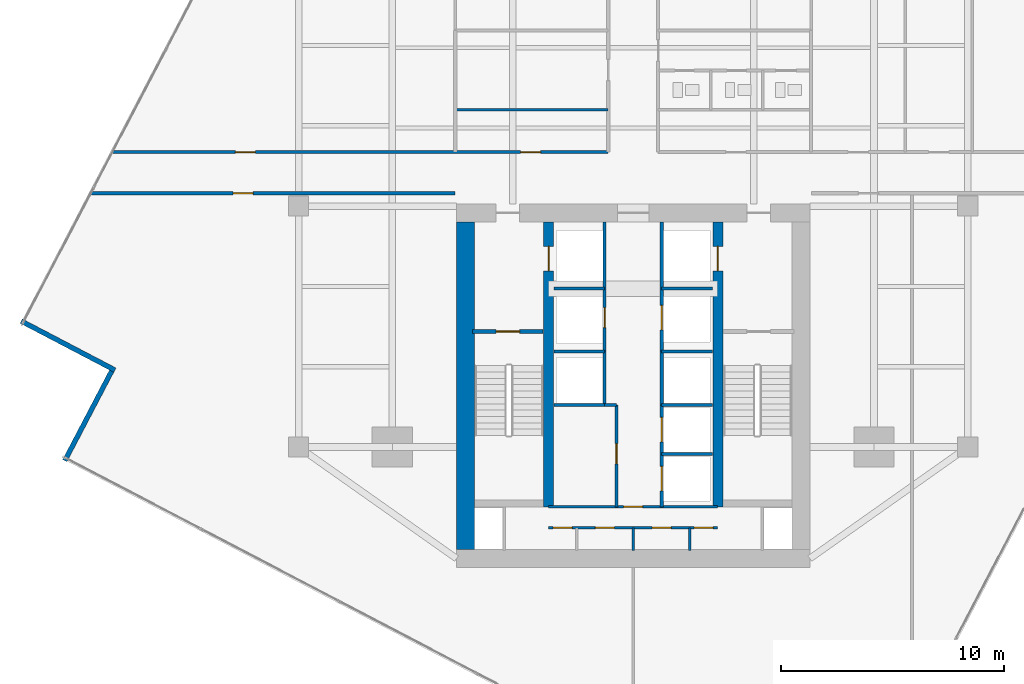
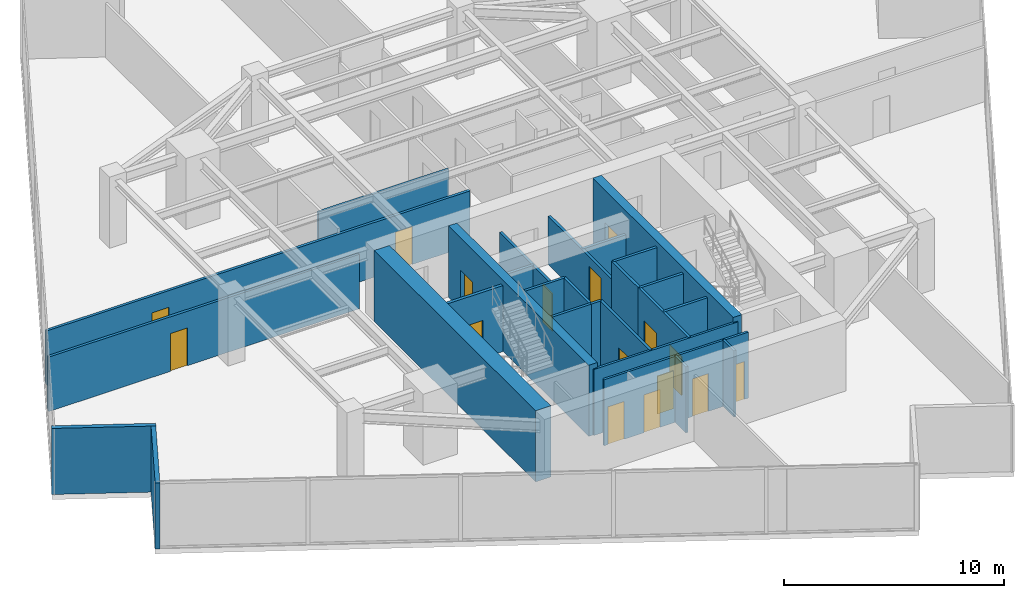
# One storey, part 23 of 27: 27 walls, 16 doors, 16 openings.
"""IFC4 building model written with IfcOpenShell, lengths in metres."""

import ifcopenshell
import ifcopenshell.guid

model = None  # the IFC model being written
_history = None  # IfcOwnerHistory: only IFC2X3 demands one
_inside = {}  # id of a spatial element -> (the spatial element, [elements in it])
_under = {}  # id of a project, library or spatial element -> (it, [spatial elements below it])
_declared = {}  # id of a project -> (the project, [libraries it declares])
_typed = {}  # id of a type object -> (the type object, [elements of that type])
_made_of = {}  # id of a material, layer set ... -> (it, [elements and type objects made of it])


def new_model(schema):
    """Start an empty IFC model of exactly this schema.

    Asked for "IFC4X3", IfcOpenShell would pick the latest addendum, in which some entities
    have other attributes; the version numbers below select the first issue.
    IFC2X3 requires an IfcOwnerHistory on every rooted entity: one is made here for all.
    """
    global model, _history
    if schema == "IFC4X3":
        model = ifcopenshell.file(schema_version=(4, 3, 0, 0))
    else:
        model = ifcopenshell.file(schema=schema)
    _inside.clear()
    _under.clear()
    _declared.clear()
    _typed.clear()
    _made_of.clear()
    _history = None
    if model.schema == "IFC2X3":
        org = make("IfcOrganization", Name="unknown")
        user = make(
            "IfcPersonAndOrganization",
            ThePerson=make("IfcPerson", FamilyName="unknown"),
            TheOrganization=org,
        )
        app = make(
            "IfcApplication",
            ApplicationDeveloper=org,
            Version="unknown",
            ApplicationFullName="unknown",
            ApplicationIdentifier="unknown",
        )
        _history = make(
            "IfcOwnerHistory",
            OwningUser=user,
            OwningApplication=app,
            ChangeAction="ADDED",
            CreationDate=0,
        )
    return model


def make(cls, **values):
    """One entity of the class cls with the attributes given. An attribute that is None is left unset."""
    return model.create_entity(
        cls, **{name: value for name, value in values.items() if value is not None}
    )


def rooted(cls, **values):
    """An entity with a GlobalId (a new one), such as an element, a storey or a relation."""
    return make(cls, GlobalId=ifcopenshell.guid.new(), OwnerHistory=_history, **values)


def si_unit(unit_type, name, prefix=None):
    """IfcSIUnit, for example si_unit("LENGTHUNIT", "METRE", prefix="MILLI")."""
    return make("IfcSIUnit", UnitType=unit_type, Prefix=prefix, Name=name)


def assignment(units):
    """IfcUnitAssignment: the units of a project."""
    return None if units is None else make("IfcUnitAssignment", Units=units)


def point(xyz):
    """IfcCartesianPoint."""
    return None if xyz is None else make("IfcCartesianPoint", Coordinates=xyz)


def direction(xyz):
    """IfcDirection."""
    return None if xyz is None else make("IfcDirection", DirectionRatios=xyz)


def frame(location, z_axis=None, x_axis=None):
    """IfcAxis2Placement3D, a coordinate frame: its origin and axes. An axis left out is left unset."""
    return make(
        "IfcAxis2Placement3D",
        Location=point(location),
        Axis=direction(z_axis),
        RefDirection=direction(x_axis),
    )


def frame_2d(location, x_axis=None):
    """IfcAxis2Placement2D, a coordinate frame in the plane: its origin and x axis."""
    return make(
        "IfcAxis2Placement2D", Location=point(location), RefDirection=direction(x_axis)
    )


def origin():
    """The frame at (0, 0, 0) with its axes left unset."""
    return frame((0.0, 0.0, 0.0))


def place(relative_to, where):
    """IfcLocalPlacement: puts the frame where relative to a parent placement (None: the world)."""
    return make(
        "IfcLocalPlacement", PlacementRelTo=relative_to, RelativePlacement=where
    )


def context(
    kind, dimensions, precision=None, world=None, true_north=None, identifier=None
):
    """IfcGeometricRepresentationContext, for example the 3D "Model" context."""
    return make(
        "IfcGeometricRepresentationContext",
        ContextIdentifier=identifier,
        ContextType=kind,
        CoordinateSpaceDimension=dimensions,
        Precision=precision,
        WorldCoordinateSystem=world,
        TrueNorth=true_north,
    )


def subcontext(parent, identifier, kind, view, scale=None):
    """IfcGeometricRepresentationSubContext, for example "Body" below "Model"."""
    return make(
        "IfcGeometricRepresentationSubContext",
        ContextIdentifier=identifier,
        ContextType=kind,
        ParentContext=parent,
        TargetScale=scale,
        TargetView=view,
    )


def project(units=None, contexts=None):
    """IfcProject with its units and contexts."""
    return rooted(
        "IfcProject",
        Name="project",
        RepresentationContexts=contexts,
        UnitsInContext=assignment(units),
    )


def spatial(cls, under=None, at=None, **own):
    """A site, building, storey or space (cls), placed at a placement, below another one or the project."""
    s = rooted(cls, ObjectPlacement=at, **own)
    if under is not None:
        _under.setdefault(under.id(), (under, []))[1].append(s)
    return s


def profile(cls, at=None, kind="AREA", **sizes):
    """A parametric profile (cls). Its sizes go by their IFC names, for example OverallWidth=200.0."""
    return make(cls, ProfileType=kind, Position=at, **sizes)


def rectangle(**sizes):
    """IfcRectangleProfileDef."""
    return profile("IfcRectangleProfileDef", **sizes)


def extrude(swept, where, along, depth):
    """IfcExtrudedAreaSolid: the profile swept, set in the frame where, extruded along a direction by depth."""
    return make(
        "IfcExtrudedAreaSolid",
        SweptArea=swept,
        Position=where,
        ExtrudedDirection=direction(along),
        Depth=depth,
    )


def shape(context_of_items, identifier, shape_type, items):
    """IfcShapeRepresentation: the items that make up one representation, for example the "Body"."""
    return make(
        "IfcShapeRepresentation",
        ContextOfItems=context_of_items,
        RepresentationIdentifier=identifier,
        RepresentationType=shape_type,
        Items=items,
    )


def material(Name=None, Category=None):
    """IfcMaterial."""
    return make("IfcMaterial", Name=Name, Category=Category)


def layer(
    of_material, thickness, ventilated=None, Name=None, Category=None, Priority=None
):
    """IfcMaterialLayer: one layer of a wall or slab, of a material (None: an air gap)."""
    return make(
        "IfcMaterialLayer",
        Material=of_material,
        LayerThickness=thickness,
        IsVentilated=ventilated,
        Name=Name,
        Category=Category,
        Priority=Priority,
    )


def layer_set(layers, Name=None):
    """IfcMaterialLayerSet."""
    return make("IfcMaterialLayerSet", MaterialLayers=layers, LayerSetName=Name)


def made_of(thing, what):
    """Note that an element or type object is made of a material, layer set ...; save() writes the relation."""
    if what is not None:
        _made_of.setdefault(what.id(), (what, []))[1].append(thing)
    return thing


def type_object(cls, material=None, **own):
    """A type object (cls), such as IfcWallType, which elements share."""
    return made_of(rooted(cls, **own), material)


def element(
    cls,
    number,
    at=None,
    inside=None,
    cuts=None,
    type_object=None,
    material=None,
    context=None,
    identifier="Body",
    shape_type=None,
    held_by="IfcProductDefinitionShape",
    body=None,
    shapes=None,
    **own,
):
    """One element of the class cls, such as IfcWall. Its Tag is "e" and its number.

    at: its placement. inside: the storey or other place that contains it. cuts: it is an
    opening in that element (IfcRelVoidsElement). A single representation is given by context,
    identifier, shape_type and body (its items); several are given by shapes. held_by: the class
    of the entity that holds the representations. save() writes the other relations.
    """
    e = rooted(cls, Tag="e%d" % number, ObjectPlacement=at, **own)
    if body is not None:
        shapes = [shape(context, identifier, shape_type, body)]
    if shapes is not None:
        e.Representation = make(held_by, Representations=shapes)
    if inside is not None:
        _inside.setdefault(inside.id(), (inside, []))[1].append(e)
    if cuts is not None:
        rooted(
            "IfcRelVoidsElement", RelatingBuildingElement=cuts, RelatedOpeningElement=e
        )
    if type_object is not None:
        _typed.setdefault(type_object.id(), (type_object, []))[1].append(e)
    return made_of(e, material)


def fill(opening, filler):
    """IfcRelFillsElement: the door or window that sits in an opening."""
    return rooted(
        "IfcRelFillsElement",
        RelatingOpeningElement=opening,
        RelatedBuildingElement=filler,
    )


def aggregate(whole, parts):
    """IfcRelAggregates: a whole, such as a stair, and the parts it consists of."""
    return rooted("IfcRelAggregates", RelatingObject=whole, RelatedObjects=parts)


def save(model, path):
    """Write the relations noted so far, then the file.

    IfcRelAggregates (storeys below a building ...), IfcRelContainedInSpatialStructure (elements
    in a storey), IfcRelDefinesByType, IfcRelAssociatesMaterial and IfcRelDeclares: one each for
    every whole, place, type object, material and project.
    """
    for whole, parts in _under.values():
        aggregate(whole, parts)
    for where, things in _inside.values():
        rooted(
            "IfcRelContainedInSpatialStructure",
            RelatedElements=things,
            RelatingStructure=where,
        )
    for kind, things in _typed.values():
        rooted("IfcRelDefinesByType", RelatedObjects=things, RelatingType=kind)
    for what, things in _made_of.values():
        rooted("IfcRelAssociatesMaterial", RelatedObjects=things, RelatingMaterial=what)
    for by, libraries in _declared.values():
        rooted("IfcRelDeclares", RelatingContext=by, RelatedDefinitions=libraries)
    model.write(path)


model = new_model("IFC4")

# Units and contexts
model_context = context("Model", 3, precision=1e-05, world=origin(), true_north=direction((0.0, 1.0)))
body_context = subcontext(model_context, "Body", "Model", "MODEL_VIEW")
ifc_project = project(units=[si_unit("LENGTHUNIT", "METRE"), si_unit("AREAUNIT", "SQUARE_METRE"), si_unit("VOLUMEUNIT", "CUBIC_METRE"), si_unit("PLANEANGLEUNIT", "RADIAN"), si_unit("MASSUNIT", "GRAM", prefix="KILO")], contexts=[model_context])

# Site, building, storey
site_placement = place(None, origin())
site = spatial("IfcSite", under=ifc_project, at=site_placement, CompositionType="ELEMENT")
building_placement = place(site_placement, origin())
building = spatial("IfcBuilding", under=site, at=building_placement, Name="Krantzveldt Concourse Tower", CompositionType="ELEMENT")
storey_placement = place(building_placement, frame((0.0, 0.0, 158.050048828125)))
storey = spatial("IfcBuildingStorey", under=building, at=storey_placement, Name="L38", CompositionType="ELEMENT", Elevation=158.050048828125)

# Walls
ifc_material_1 = material(Name="Anodised aluminium 6063-T6", Category="aluminium")
ifc_layer_1 = layer(ifc_material_1, 0.219970703125, Name="Anodised aluminium 6063-T6", Category="aluminium")
ifc_layer_set_1 = layer_set([ifc_layer_1], Name="Anodised aluminium 6063-T6 (WL-EXT-NOTCH220)")
wall_type_1 = type_object("IfcWallType", Name="WL-EXT-NOTCH220", PredefinedType="ELEMENTEDWALL", material=ifc_layer_set_1)
wall_1_placement = place(storey_placement, frame((8.557373046875, 21.54736328125, 0.0), z_axis=(0.0, 0.0, 1.0), x_axis=(0.886000663224, -0.463683970788, 0.0)))
element("IfcWall", 1, at=wall_1_placement, inside=storey, type_object=wall_type_1, Name="EW-L38-NCH02", PredefinedType="ELEMENTEDWALL", context=body_context, shape_type="SweptSolid", body=[
    extrude(rectangle(XDim=4.7451171875, YDim=0.219970703125, at=frame_2d((2.37255859375, 0.0))), origin(), (0.0, 0.0, 1.0), 3.669921875),
])
wall_2_placement = place(storey_placement, frame((12.613037109375, 19.300537109375, 0.0), z_axis=(0.0, 0.0, 1.0), x_axis=(-0.463690434653, -0.885997280363, 0.0)))
element("IfcWall", 2, at=wall_2_placement, inside=storey, type_object=wall_type_1, Name="EW-L38-NCH03", PredefinedType="ELEMENTEDWALL", context=body_context, shape_type="SweptSolid", body=[
    extrude(rectangle(XDim=4.52490234375, YDim=0.219970703125, at=frame_2d((2.262451171875, 0.0))), origin(), (0.0, 0.0, 1.0), 3.669921875),
])

# Wall, opening, door
ifc_material_2 = material(Name="Fire-rated gypsum plasterboard on steel stud", Category="steel")
ifc_layer_2 = layer(ifc_material_2, 0.1201171875, Name="Fire-rated gypsum plasterboard on steel stud", Category="steel")
ifc_layer_set_2 = layer_set([ifc_layer_2], Name="Fire-rated gypsum plasterboard on steel stud (WL-PART-120)")
wall_type_2 = type_object("IfcWallType", Name="WL-PART-120", PredefinedType="PARTITIONING", material=ifc_layer_set_2)
wall_3_placement = place(storey_placement, frame((32.2099609375, 13.219970703125, 0.0), z_axis=(0.0, 0.0, 1.0), x_axis=(1.0, 0.0, 0.0)))
wall_3 = element("IfcWall", 3, at=wall_3_placement, inside=storey, type_object=wall_type_2, Name="WP-L38-CS2H", PredefinedType="PARTITIONING", context=body_context, shape_type="SweptSolid", body=[
    extrude(rectangle(XDim=7.580078125, YDim=0.1201171875, at=frame_2d((3.7900390625, 0.0))), origin(), (0.0, 0.0, 1.0), 3.669921875),
])
opening_1_placement = place(wall_3_placement, frame((3.364990234375, 0.0, 0.0)))
opening_1 = element("IfcOpeningElement", 4, at=opening_1_placement, cuts=wall_3, Name="Opening D-IN085", PredefinedType="OPENING", context=body_context, shape_type="SweptSolid", body=[
    extrude(rectangle(XDim=0.85009765625, YDim=2.10009765625, at=frame_2d((0.425048828125, 1.050048828125))), frame((0.0, 0.070068359375, 0.0), z_axis=(0.0, -1.0, 0.0), x_axis=(1.0, 0.0, 0.0)), (0.0, 0.0, 1.0), 0.14013671875),
])
ifc_material_3 = material(Name="Hardwood timber", Category="wood")
door_type_1 = type_object("IfcDoorType", Name="DR-INT-850", OperationType="SINGLE_SWING_LEFT", PredefinedType="DOOR", material=ifc_material_3)
door_1_placement = place(opening_1_placement, origin())
door_1 = element("IfcDoor", 5, at=door_1_placement, inside=storey, type_object=door_type_1, Name="DR-L38-LLBS", OperationType="SINGLE_SWING_RIGHT", OverallHeight=2.10009765625, OverallWidth=0.85009765625, PredefinedType="DOOR", context=body_context, shape_type="SweptSolid", body=[
    extrude(rectangle(XDim=0.85009765625, YDim=2.10009765625, at=frame_2d((0.425048828125, 1.050048828125))), frame((0.0, 0.02490234375, 0.0), z_axis=(0.0, -1.0, 0.0), x_axis=(1.0, 0.0, 0.0)), (0.0, 0.0, 1.0), 0.050048828125),
])
fill(opening_1, door_1)

# Wall, openings, doors
wall_4_placement = place(storey_placement, frame((32.2099609375, 12.280029296875, 0.0), z_axis=(0.0, 0.0, 1.0), x_axis=(1.0, 0.0, 0.0)))
wall_4 = element("IfcWall", 6, at=wall_4_placement, inside=storey, type_object=wall_type_2, Name="WP-L38-CSD-HM", PredefinedType="PARTITIONING", context=body_context, shape_type="SweptSolid", body=[
    extrude(rectangle(XDim=7.580078125, YDim=0.1201171875, at=frame_2d((3.7900390625, 0.0))), origin(), (0.0, 0.0, 1.0), 3.669921875),
])
opening_2_placement = place(wall_4_placement, frame((0.205078125, 0.0, 0.0)))
opening_2 = element("IfcOpeningElement", 7, at=opening_2_placement, cuts=wall_4, Name="Opening D-IN085", PredefinedType="OPENING", context=body_context, shape_type="SweptSolid", body=[
    extrude(rectangle(XDim=0.85009765625, YDim=2.10009765625, at=frame_2d((0.425048828125, 1.050048828125))), frame((0.0, 0.070068359375, 0.0), z_axis=(0.0, -1.0, 0.0), x_axis=(1.0, 0.0, 0.0)), (0.0, 0.0, 1.0), 0.14013671875),
])
opening_3_placement = place(wall_4_placement, frame((2.094970703125, 0.0, 0.0)))
opening_3 = element("IfcOpeningElement", 8, at=opening_3_placement, cuts=wall_4, Name="Opening D-IN085", PredefinedType="OPENING", context=body_context, shape_type="SweptSolid", body=[
    extrude(rectangle(XDim=0.85009765625, YDim=2.10009765625, at=frame_2d((0.425048828125, 1.050048828125))), frame((0.0, 0.070068359375, 0.0), z_axis=(0.0, -1.0, 0.0), x_axis=(1.0, 0.0, 0.0)), (0.0, 0.0, 1.0), 0.14013671875),
])
opening_4_placement = place(wall_4_placement, frame((4.635009765625, 0.0, 0.0)))
opening_4 = element("IfcOpeningElement", 9, at=opening_4_placement, cuts=wall_4, Name="Opening D-IN085", PredefinedType="OPENING", context=body_context, shape_type="SweptSolid", body=[
    extrude(rectangle(XDim=0.85009765625, YDim=2.10009765625, at=frame_2d((0.425048828125, 1.050048828125))), frame((0.0, 0.070068359375, 0.0), z_axis=(0.0, -1.0, 0.0), x_axis=(1.0, 0.0, 0.0)), (0.0, 0.0, 1.0), 0.14013671875),
])
opening_5_placement = place(wall_4_placement, frame((6.52490234375, 0.0, 0.0)))
opening_5 = element("IfcOpeningElement", 10, at=opening_5_placement, cuts=wall_4, Name="Opening D-IN085", PredefinedType="OPENING", context=body_context, shape_type="SweptSolid", body=[
    extrude(rectangle(XDim=0.85009765625, YDim=2.10009765625, at=frame_2d((0.425048828125, 1.050048828125))), frame((0.0, 0.070068359375, 0.0), z_axis=(0.0, -1.0, 0.0), x_axis=(1.0, 0.0, 0.0)), (0.0, 0.0, 1.0), 0.14013671875),
])
door_2_placement = place(opening_2_placement, origin())
door_2 = element("IfcDoor", 11, at=door_2_placement, inside=storey, type_object=door_type_1, Name="DR-L38-CSD1", OperationType="SINGLE_SWING_RIGHT", OverallHeight=2.10009765625, OverallWidth=0.85009765625, PredefinedType="DOOR", context=body_context, shape_type="SweptSolid", body=[
    extrude(rectangle(XDim=0.85009765625, YDim=2.10009765625, at=frame_2d((0.425048828125, 1.050048828125))), frame((0.0, 0.02490234375, 0.0), z_axis=(0.0, -1.0, 0.0), x_axis=(1.0, 0.0, 0.0)), (0.0, 0.0, 1.0), 0.050048828125),
])
fill(opening_2, door_2)
door_3_placement = place(opening_3_placement, origin())
door_3 = element("IfcDoor", 12, at=door_3_placement, inside=storey, type_object=door_type_1, Name="DR-L38-CSD2", OperationType="SINGLE_SWING_RIGHT", OverallHeight=2.10009765625, OverallWidth=0.85009765625, PredefinedType="DOOR", context=body_context, shape_type="SweptSolid", body=[
    extrude(rectangle(XDim=0.85009765625, YDim=2.10009765625, at=frame_2d((0.425048828125, 1.050048828125))), frame((0.0, 0.02490234375, 0.0), z_axis=(0.0, -1.0, 0.0), x_axis=(1.0, 0.0, 0.0)), (0.0, 0.0, 1.0), 0.050048828125),
])
fill(opening_3, door_3)
door_4_placement = place(opening_4_placement, origin())
door_4 = element("IfcDoor", 13, at=door_4_placement, inside=storey, type_object=door_type_1, Name="DR-L38-CSD3", OperationType="SINGLE_SWING_RIGHT", OverallHeight=2.10009765625, OverallWidth=0.85009765625, PredefinedType="DOOR", context=body_context, shape_type="SweptSolid", body=[
    extrude(rectangle(XDim=0.85009765625, YDim=2.10009765625, at=frame_2d((0.425048828125, 1.050048828125))), frame((0.0, 0.02490234375, 0.0), z_axis=(0.0, -1.0, 0.0), x_axis=(1.0, 0.0, 0.0)), (0.0, 0.0, 1.0), 0.050048828125),
])
fill(opening_4, door_4)
door_5_placement = place(opening_5_placement, origin())
door_5 = element("IfcDoor", 14, at=door_5_placement, inside=storey, type_object=door_type_1, Name="DR-L38-CSD4", OperationType="SINGLE_SWING_RIGHT", OverallHeight=2.10009765625, OverallWidth=0.85009765625, PredefinedType="DOOR", context=body_context, shape_type="SweptSolid", body=[
    extrude(rectangle(XDim=0.85009765625, YDim=2.10009765625, at=frame_2d((0.425048828125, 1.050048828125))), frame((0.0, 0.02490234375, 0.0), z_axis=(0.0, -1.0, 0.0), x_axis=(1.0, 0.0, 0.0)), (0.0, 0.0, 1.0), 0.050048828125),
])
fill(opening_5, door_5)

# Walls
for number, where, z_axis, x_axis, name in (
    (15, (36.0, 11.25, 0.0), (0.0, 0.0, 1.0), (0.0, 1.0, 0.0), "WP-L38-CSD-V2"),
    (16, (38.530029296875, 11.25, 0.0), (0.0, 0.0, 1.0), (0.0, 1.0, 0.0), "WP-L38-CSD-V3"),
):
    element("IfcWall", number, at=place(storey_placement, frame(where, z_axis=z_axis, x_axis=x_axis)), inside=storey, type_object=wall_type_2, Name=name, PredefinedType="PARTITIONING", context=body_context, shape_type="SweptSolid", body=[
        extrude(rectangle(XDim=1.030029296875, YDim=0.1201171875, at=frame_2d((0.51513671875, 0.0))), origin(), (0.0, 0.0, 1.0), 3.669921875),
    ])
wall_5_placement = place(storey_placement, frame((28.02001953125, 31.02001953125, 0.0), z_axis=(0.0, 0.0, 1.0), x_axis=(1.0, 0.0, 0.0)))
element("IfcWall", 17, at=wall_5_placement, inside=storey, type_object=wall_type_2, Name="WP-L38-ISML", PredefinedType="PARTITIONING", context=body_context, shape_type="SweptSolid", body=[
    extrude(rectangle(XDim=6.85986328125, YDim=0.1201171875, at=frame_2d((3.429931640625, 0.0))), origin(), (0.0, 0.0, 1.0), 3.079833984375),
])

# Wall, openings, doors
ifc_layer_3 = layer(ifc_material_2, 0.139892578125, Name="Fire-rated gypsum plasterboard on steel stud", Category="steel")
ifc_layer_set_3 = layer_set([ifc_layer_3], Name="Fire-rated gypsum plasterboard on steel stud (WL-PART-140)")
wall_type_3 = type_object("IfcWallType", Name="WL-PART-140", PredefinedType="PARTITIONING", material=ifc_layer_set_3)
wall_6_placement = place(storey_placement, frame((12.650390625, 29.1201171875, 0.0), z_axis=(0.0, 0.0, 1.0), x_axis=(1.0, 0.0, 0.0)))
wall_6 = element("IfcWall", 18, at=wall_6_placement, inside=storey, type_object=wall_type_3, Name="WP-L38-EWNL", PredefinedType="PARTITIONING", context=body_context, shape_type="SweptSolid", body=[
    extrude(rectangle(XDim=22.2294921875, YDim=0.139892578125, at=frame_2d((11.11474609375, 0.0))), origin(), (0.0, 0.0, 1.0), 3.030029296875),
])
opening_6_placement = place(wall_6_placement, frame((18.2998046875, 0.0, 0.0)))
opening_6 = element("IfcOpeningElement", 19, at=opening_6_placement, cuts=wall_6, Name="Opening D-IN090", PredefinedType="OPENING", context=body_context, shape_type="SweptSolid", body=[
    extrude(rectangle(XDim=0.89990234375, YDim=2.10009765625, at=frame_2d((0.449951171875, 1.050048828125))), frame((0.0, 0.080078125, 0.0), z_axis=(0.0, -1.0, 0.0), x_axis=(1.0, 0.0, 0.0)), (0.0, 0.0, 1.0), 0.159912109375),
])
opening_7_placement = place(wall_6_placement, frame((5.5126953125, 0.0, 0.0)))
opening_7 = element("IfcOpeningElement", 20, at=opening_7_placement, cuts=wall_6, Name="Opening D-IN090", PredefinedType="OPENING", context=body_context, shape_type="SweptSolid", body=[
    extrude(rectangle(XDim=0.89990234375, YDim=2.10009765625, at=frame_2d((0.449951171875, 1.050048828125))), frame((0.0, 0.080078125, 0.0), z_axis=(0.0, -1.0, 0.0), x_axis=(1.0, 0.0, 0.0)), (0.0, 0.0, 1.0), 0.159912109375),
])
door_type_2 = type_object("IfcDoorType", Name="DR-INT-900", OperationType="SINGLE_SWING_LEFT", PredefinedType="DOOR", material=ifc_material_3)
door_6_placement = place(opening_6_placement, origin())
door_6 = element("IfcDoor", 21, at=door_6_placement, inside=storey, type_object=door_type_2, Name="DR-L38-ALCL", OperationType="SINGLE_SWING_LEFT", OverallHeight=2.10009765625, OverallWidth=0.89990234375, PredefinedType="DOOR", context=body_context, shape_type="SweptSolid", body=[
    extrude(rectangle(XDim=0.89990234375, YDim=2.10009765625, at=frame_2d((0.449951171875, 1.050048828125))), frame((0.0, 0.02490234375, 0.0), z_axis=(0.0, -1.0, 0.0), x_axis=(1.0, 0.0, 0.0)), (0.0, 0.0, 1.0), 0.050048828125),
])
fill(opening_6, door_6)
door_7_placement = place(opening_7_placement, origin())
door_7 = element("IfcDoor", 22, at=door_7_placement, inside=storey, type_object=door_type_2, Name="DR-L38-NWX1", OperationType="SINGLE_SWING_LEFT", OverallHeight=2.10009765625, OverallWidth=0.89990234375, PredefinedType="DOOR", context=body_context, shape_type="SweptSolid", body=[
    extrude(rectangle(XDim=0.89990234375, YDim=2.10009765625, at=frame_2d((0.449951171875, 1.050048828125))), frame((0.0, 0.02490234375, 0.0), z_axis=(0.0, -1.0, 0.0), x_axis=(1.0, 0.0, 0.0)), (0.0, 0.0, 1.0), 0.050048828125),
])
fill(opening_7, door_7)

# Wall, opening, door
wall_7_placement = place(storey_placement, frame((11.687255859375, 27.280029296875, 0.0), z_axis=(0.0, 0.0, 1.0), x_axis=(1.0, 0.0, 0.0)))
wall_7 = element("IfcWall", 23, at=wall_7_placement, inside=storey, type_object=wall_type_3, Name="WP-L38-EWSL", PredefinedType="PARTITIONING", context=body_context, shape_type="SweptSolid", body=[
    extrude(rectangle(XDim=16.312744140625, YDim=0.139892578125, at=frame_2d((8.15625, 0.0))), origin(), (0.0, 0.0, 1.0), 3.030029296875),
])
opening_8_placement = place(wall_7_placement, frame((6.375732421875, 0.0, 0.0)))
opening_8 = element("IfcOpeningElement", 24, at=opening_8_placement, cuts=wall_7, Name="Opening D-IN090", PredefinedType="OPENING", context=body_context, shape_type="SweptSolid", body=[
    extrude(rectangle(XDim=0.89990234375, YDim=2.10009765625, at=frame_2d((0.449951171875, 1.050048828125))), frame((0.0, 0.080078125, 0.0), z_axis=(0.0, -1.0, 0.0), x_axis=(1.0, 0.0, 0.0)), (0.0, 0.0, 1.0), 0.159912109375),
])
door_8_placement = place(opening_8_placement, origin())
door_8 = element("IfcDoor", 25, at=door_8_placement, inside=storey, type_object=door_type_2, Name="DR-L38-SWX1", OperationType="SINGLE_SWING_LEFT", OverallHeight=2.10009765625, OverallWidth=0.89990234375, PredefinedType="DOOR", context=body_context, shape_type="SweptSolid", body=[
    extrude(rectangle(XDim=0.89990234375, YDim=2.10009765625, at=frame_2d((0.449951171875, 1.050048828125))), frame((0.0, 0.02490234375, 0.0), z_axis=(0.0, -1.0, 0.0), x_axis=(1.0, 0.0, 0.0)), (0.0, 0.0, 1.0), 0.050048828125),
])
fill(opening_8, door_8)

ifc_layer_4 = layer(ifc_material_2, 0.139892578125, Name="Fire-rated gypsum plasterboard on steel stud", Category="steel")
ifc_layer_set_4 = layer_set([ifc_layer_4], Name="Fire-rated gypsum plasterboard on steel stud (WL-PART-FR140)")
wall_type_4 = type_object("IfcWallType", Name="WL-PART-FR140", PredefinedType="PARTITIONING", material=ifc_layer_set_4)
wall_8_placement = place(storey_placement, frame((34.719970703125, 20.199951171875, 0.0), z_axis=(0.0, 0.0, 1.0), x_axis=(0.0, 1.0, 0.0)))
wall_8 = element("IfcWall", 26, at=wall_8_placement, inside=storey, type_object=wall_type_4, Name="WP-L38-SHNW", PredefinedType="PARTITIONING", context=body_context, shape_type="SweptSolid", body=[
    extrude(rectangle(XDim=5.780029296875, YDim=0.139892578125, at=frame_2d((2.89013671875, 0.0))), origin(), (0.0, 0.0, 1.0), 2.669921875),
])
opening_9_placement = place(wall_8_placement, frame((1.050048828125, 0.0, 0.0)))
opening_9 = element("IfcOpeningElement", 27, at=opening_9_placement, cuts=wall_8, Name="Opening D-FD090", PredefinedType="OPENING", context=body_context, shape_type="SweptSolid", body=[
    extrude(rectangle(XDim=0.89990234375, YDim=2.10009765625, at=frame_2d((0.449951171875, 1.050048828125))), frame((0.0, 0.080078125, 0.0), z_axis=(0.0, -1.0, 0.0), x_axis=(1.0, 0.0, 0.0)), (0.0, 0.0, 1.0), 0.159912109375),
])
door_type_3 = type_object("IfcDoorType", Name="DR-FD60-900", OperationType="SINGLE_SWING_LEFT", PredefinedType="DOOR", material=ifc_material_3)
door_9_placement = place(opening_9_placement, origin())
door_9 = element("IfcDoor", 28, at=door_9_placement, inside=storey, type_object=door_type_3, Name="Electrical Riser Access Door L38", OperationType="SINGLE_SWING_LEFT", OverallHeight=2.10009765625, OverallWidth=0.89990234375, PredefinedType="DOOR", context=body_context, shape_type="SweptSolid", body=[
    extrude(rectangle(XDim=0.89990234375, YDim=2.10009765625, at=frame_2d((0.449951171875, 1.050048828125))), frame((0.0, 0.02490234375, 0.0), z_axis=(0.0, -1.0, 0.0), x_axis=(1.0, 0.0, 0.0)), (0.0, 0.0, 1.0), 0.050048828125),
])
fill(opening_9, door_9)

wall_9_placement = place(storey_placement, frame((37.280029296875, 20.199951171875, 0.0), z_axis=(0.0, 0.0, 1.0), x_axis=(0.0, 1.0, 0.0)))
wall_9 = element("IfcWall", 29, at=wall_9_placement, inside=storey, type_object=wall_type_4, Name="WP-L38-SHNE", PredefinedType="PARTITIONING", context=body_context, shape_type="SweptSolid", body=[
    extrude(rectangle(XDim=5.780029296875, YDim=0.139892578125, at=frame_2d((2.89013671875, 0.0))), origin(), (0.0, 0.0, 1.0), 2.669921875),
])
opening_10_placement = place(wall_9_placement, frame((0.949951171875, 0.0, 0.0)))
opening_10 = element("IfcOpeningElement", 30, at=opening_10_placement, cuts=wall_9, Name="Opening LD", PredefinedType="OPENING", context=body_context, shape_type="SweptSolid", body=[
    extrude(rectangle(XDim=1.10009765625, YDim=2.14990234375, at=frame_2d((0.550048828125, 1.074951171875))), frame((0.0, 0.080078125, 0.0), z_axis=(0.0, -1.0, 0.0), x_axis=(1.0, 0.0, 0.0)), (0.0, 0.0, 1.0), 0.159912109375),
])
ifc_material_4 = material(Name="Stainless steel 316L", Category="steel")
door_type_4 = type_object("IfcDoorType", Name="DR-SLIDE-LD1100", OperationType="DOUBLE_DOOR_SLIDING", PredefinedType="DOOR", material=ifc_material_4)
door_10_placement = place(opening_10_placement, origin())
door_10 = element("IfcDoor", 31, at=door_10_placement, inside=storey, type_object=door_type_4, Name="LD-L38-GL1", OperationType="DOUBLE_DOOR_SLIDING", OverallHeight=2.14990234375, OverallWidth=1.10009765625, PredefinedType="DOOR", context=body_context, shape_type="SweptSolid", body=[
    extrude(rectangle(XDim=1.10009765625, YDim=2.14990234375, at=frame_2d((0.550048828125, 1.074951171875))), frame((0.0, 0.02490234375, 0.0), z_axis=(0.0, -1.0, 0.0), x_axis=(1.0, 0.0, 0.0)), (0.0, 0.0, 1.0), 0.050048828125),
])
fill(opening_10, door_10)

# Walls
for number, where, z_axis, x_axis, name in (
    (32, (32.449951171875, 23.0, 0.0), (0.0, 0.0, 1.0), (1.0, 0.0, 0.0), "WP-L38-RISH"),
    (33, (37.280029296875, 23.0, 0.0), (0.0, 0.0, 1.0), (1.0, 0.0, 0.0), "WP-L38-GLH"),
):
    element("IfcWall", number, at=place(storey_placement, frame(where, z_axis=z_axis, x_axis=x_axis)), inside=storey, type_object=wall_type_4, Name=name, PredefinedType="PARTITIONING", context=body_context, shape_type="SweptSolid", body=[
        extrude(rectangle(XDim=2.27001953125, YDim=0.139892578125, at=frame_2d((1.135009765625, 0.0))), origin(), (0.0, 0.0, 1.0), 2.669921875),
    ])
for number, where, z_axis, x_axis, name in (
    (34, (34.719970703125, 17.780029296875, 0.0), (0.0, 0.0, 1.0), (0.0, 1.0, 0.0), "WP-L38-SHNW2"),
    (35, (37.280029296875, 17.780029296875, 0.0), (0.0, 0.0, 1.0), (0.0, 1.0, 0.0), "WP-L38-SHNE2"),
):
    element("IfcWall", number, at=place(storey_placement, frame(where, z_axis=z_axis, x_axis=x_axis)), inside=storey, type_object=wall_type_4, Name=name, PredefinedType="PARTITIONING", context=body_context, shape_type="SweptSolid", body=[
        extrude(rectangle(XDim=2.419921875, YDim=0.139892578125, at=frame_2d((1.2099609375, 0.0))), origin(), (0.0, 0.0, 1.0), 3.669921875),
    ])
for number, where, z_axis, x_axis, name in (
    (36, (32.449951171875, 17.780029296875, 0.0), (0.0, 0.0, 1.0), (1.0, 0.0, 0.0), "WP-L38-DIVW2"),
    (37, (32.449951171875, 20.179931640625, 0.0), (0.0, 0.0, 1.0), (1.0, 0.0, 0.0), "WP-L38-DIVW3"),
    (38, (37.280029296875, 17.780029296875, 0.0), (0.0, 0.0, 1.0), (1.0, 0.0, 0.0), "WP-L38-DIVE2"),
    (39, (37.280029296875, 20.179931640625, 0.0), (0.0, 0.0, 1.0), (1.0, 0.0, 0.0), "WP-L38-DIVE3"),
):
    element("IfcWall", number, at=place(storey_placement, frame(where, z_axis=z_axis, x_axis=x_axis)), inside=storey, type_object=wall_type_4, Name=name, PredefinedType="PARTITIONING", context=body_context, shape_type="SweptSolid", body=[
        extrude(rectangle(XDim=2.27001953125, YDim=0.139892578125, at=frame_2d((1.135009765625, 0.0))), origin(), (0.0, 0.0, 1.0), 3.669921875),
    ])

# Wall, opening, door
wall_10_placement = place(storey_placement, frame((35.25, 13.219970703125, 0.0), z_axis=(0.0, 0.0, 1.0), x_axis=(0.0, 1.0, 0.0)))
wall_10 = element("IfcWall", 40, at=wall_10_placement, inside=storey, type_object=wall_type_4, Name="WP-L38-RECW", PredefinedType="PARTITIONING", context=body_context, shape_type="SweptSolid", body=[
    extrude(rectangle(XDim=4.56005859375, YDim=0.139892578125, at=frame_2d((2.280029296875, 0.0))), origin(), (0.0, 0.0, 1.0), 3.669921875),
])
opening_11_placement = place(wall_10_placement, frame((1.929931640625, 0.0, 0.0)))
opening_11 = element("IfcOpeningElement", 41, at=opening_11_placement, cuts=wall_10, Name="Opening D-FD090", PredefinedType="OPENING", context=body_context, shape_type="SweptSolid", body=[
    extrude(rectangle(XDim=0.89990234375, YDim=2.10009765625, at=frame_2d((0.449951171875, 1.050048828125))), frame((0.0, 0.080078125, 0.0), z_axis=(0.0, -1.0, 0.0), x_axis=(1.0, 0.0, 0.0)), (0.0, 0.0, 1.0), 0.159912109375),
])
door_11_placement = place(opening_11_placement, origin())
door_11 = element("IfcDoor", 42, at=door_11_placement, inside=storey, type_object=door_type_3, Name="DR-L38-RECW", OperationType="SINGLE_SWING_LEFT", OverallHeight=2.10009765625, OverallWidth=0.89990234375, PredefinedType="DOOR", context=body_context, shape_type="SweptSolid", body=[
    extrude(rectangle(XDim=0.89990234375, YDim=2.10009765625, at=frame_2d((0.449951171875, 1.050048828125))), frame((0.0, 0.02490234375, 0.0), z_axis=(0.0, -1.0, 0.0), x_axis=(1.0, 0.0, 0.0)), (0.0, 0.0, 1.0), 0.050048828125),
])
fill(opening_11, door_11)

# Wall
wall_11_placement = place(storey_placement, frame((34.719970703125, 17.780029296875, 0.0), z_axis=(0.0, 0.0, 1.0), x_axis=(1.0, 0.0, 0.0)))
element("IfcWall", 43, at=wall_11_placement, inside=storey, type_object=wall_type_4, Name="WP-L38-RECWN", PredefinedType="PARTITIONING", context=body_context, shape_type="SweptSolid", body=[
    extrude(rectangle(XDim=0.530029296875, YDim=0.139892578125, at=frame_2d((0.26513671875, 0.0))), origin(), (0.0, 0.0, 1.0), 3.669921875),
])

# Wall, openings, doors
wall_12_placement = place(storey_placement, frame((37.280029296875, 13.219970703125, 0.0), z_axis=(0.0, 0.0, 1.0), x_axis=(0.0, 1.0, 0.0)))
wall_12 = element("IfcWall", 44, at=wall_12_placement, inside=storey, type_object=wall_type_4, Name="WP-L38-SHSE", PredefinedType="PARTITIONING", context=body_context, shape_type="SweptSolid", body=[
    extrude(rectangle(XDim=4.56005859375, YDim=0.139892578125, at=frame_2d((2.280029296875, 0.0))), origin(), (0.0, 0.0, 1.0), 3.669921875),
])
opening_12_placement = place(wall_12_placement, frame((0.7099609375, 0.0, 0.0)))
opening_12 = element("IfcOpeningElement", 45, at=opening_12_placement, cuts=wall_12, Name="Opening LD", PredefinedType="OPENING", context=body_context, shape_type="SweptSolid", body=[
    extrude(rectangle(XDim=1.10009765625, YDim=2.14990234375, at=frame_2d((0.550048828125, 1.074951171875))), frame((0.0, 0.080078125, 0.0), z_axis=(0.0, -1.0, 0.0), x_axis=(1.0, 0.0, 0.0)), (0.0, 0.0, 1.0), 0.159912109375),
])
opening_13_placement = place(wall_12_placement, frame((2.909912109375, 0.0, 0.0)))
opening_13 = element("IfcOpeningElement", 46, at=opening_13_placement, cuts=wall_12, Name="Opening LD", PredefinedType="OPENING", context=body_context, shape_type="SweptSolid", body=[
    extrude(rectangle(XDim=1.10009765625, YDim=2.14990234375, at=frame_2d((0.550048828125, 1.074951171875))), frame((0.0, 0.080078125, 0.0), z_axis=(0.0, -1.0, 0.0), x_axis=(1.0, 0.0, 0.0)), (0.0, 0.0, 1.0), 0.159912109375),
])
door_12_placement = place(opening_12_placement, origin())
door_12 = element("IfcDoor", 47, at=door_12_placement, inside=storey, type_object=door_type_4, Name="LD-L38-PM1", OperationType="DOUBLE_DOOR_SLIDING", OverallHeight=2.14990234375, OverallWidth=1.10009765625, PredefinedType="DOOR", context=body_context, shape_type="SweptSolid", body=[
    extrude(rectangle(XDim=1.10009765625, YDim=2.14990234375, at=frame_2d((0.550048828125, 1.074951171875))), frame((0.0, 0.02490234375, 0.0), z_axis=(0.0, -1.0, 0.0), x_axis=(1.0, 0.0, 0.0)), (0.0, 0.0, 1.0), 0.050048828125),
])
fill(opening_12, door_12)
door_13_placement = place(opening_13_placement, origin())
door_13 = element("IfcDoor", 48, at=door_13_placement, inside=storey, type_object=door_type_4, Name="LD-L38-PM2", OperationType="DOUBLE_DOOR_SLIDING", OverallHeight=2.14990234375, OverallWidth=1.10009765625, PredefinedType="DOOR", context=body_context, shape_type="SweptSolid", body=[
    extrude(rectangle(XDim=1.10009765625, YDim=2.14990234375, at=frame_2d((0.550048828125, 1.074951171875))), frame((0.0, 0.02490234375, 0.0), z_axis=(0.0, -1.0, 0.0), x_axis=(1.0, 0.0, 0.0)), (0.0, 0.0, 1.0), 0.050048828125),
])
fill(opening_13, door_13)

# Wall
wall_13_placement = place(storey_placement, frame((37.280029296875, 15.580078125, 0.0), z_axis=(0.0, 0.0, 1.0), x_axis=(1.0, 0.0, 0.0)))
element("IfcWall", 49, at=wall_13_placement, inside=storey, type_object=wall_type_4, Name="WP-L38-DIVE1", PredefinedType="PARTITIONING", context=body_context, shape_type="SweptSolid", body=[
    extrude(rectangle(XDim=2.27001953125, YDim=0.139892578125, at=frame_2d((1.135009765625, 0.0))), origin(), (0.0, 0.0, 1.0), 3.669921875),
])

# Wall, opening, door
ifc_layer_5 = layer(ifc_material_2, 0.159912109375, Name="Fire-rated gypsum plasterboard on steel stud", Category="steel")
ifc_layer_set_5 = layer_set([ifc_layer_5], Name="Fire-rated gypsum plasterboard on steel stud (WL-PART-FR160)")
wall_type_5 = type_object("IfcWallType", Name="WL-PART-FR160", PredefinedType="PARTITIONING", material=ifc_layer_set_5)
wall_14_placement = place(storey_placement, frame((28.800048828125, 21.080078125, 0.0), z_axis=(0.0, 0.0, 1.0), x_axis=(1.0, 0.0, 0.0)))
wall_14 = element("IfcWall", 50, at=wall_14_placement, inside=storey, type_object=wall_type_5, Name="WP-L38-ST1", PredefinedType="PARTITIONING", context=body_context, shape_type="SweptSolid", body=[
    extrude(rectangle(XDim=3.159912109375, YDim=0.159912109375, at=frame_2d((1.580078125, 0.0))), origin(), (0.0, 0.0, 1.0), 3.669921875),
])
opening_14_placement = place(wall_14_placement, frame((1.054931640625, 0.0, 0.0)))
opening_14 = element("IfcOpeningElement", 51, at=opening_14_placement, cuts=wall_14, Name="Opening D-FD105", PredefinedType="OPENING", context=body_context, shape_type="SweptSolid", body=[
    extrude(rectangle(XDim=1.050048828125, YDim=2.10009765625, at=frame_2d((0.52490234375, 1.050048828125))), frame((0.0, 0.08984375, 0.0), z_axis=(0.0, -1.0, 0.0), x_axis=(1.0, 0.0, 0.0)), (0.0, 0.0, 1.0), 0.179931640625),
])
ifc_material_5 = material(Name="Galvanised steel", Category="steel")
door_type_5 = type_object("IfcDoorType", Name="DR-FD120-1050", OperationType="SINGLE_SWING_LEFT", PredefinedType="DOOR", material=ifc_material_5)
door_14_placement = place(opening_14_placement, origin())
door_14 = element("IfcDoor", 52, at=door_14_placement, inside=storey, type_object=door_type_5, Name="DR-L38-ST1", OperationType="SINGLE_SWING_RIGHT", OverallHeight=2.10009765625, OverallWidth=1.050048828125, PredefinedType="DOOR", context=body_context, shape_type="SweptSolid", body=[
    extrude(rectangle(XDim=1.050048828125, YDim=2.10009765625, at=frame_2d((0.52490234375, 1.050048828125))), frame((0.0, 0.02490234375, 0.0), z_axis=(0.0, -1.0, 0.0), x_axis=(1.0, 0.0, 0.0)), (0.0, 0.0, 1.0), 0.050048828125),
])
fill(opening_14, door_14)

ifc_material_6 = material(Name="Concrete C50/60", Category="concrete")
ifc_layer_6 = layer(ifc_material_6, 0.449951171875, Name="Concrete C50/60", Category="concrete")
ifc_layer_set_6 = layer_set([ifc_layer_6], Name="Concrete C50/60 (WL-SHEAR-450)")
wall_type_6 = type_object("IfcWallType", Name="WL-SHEAR-450", PredefinedType="SHEAR", material=ifc_layer_set_6)
wall_15_placement = place(storey_placement, frame((32.205078125, 13.219970703125, 0.0), z_axis=(0.0, 0.0, 1.0), x_axis=(0.0, 1.0, 0.0)))
wall_15 = element("IfcWall", 53, at=wall_15_placement, inside=storey, type_object=wall_type_6, Name="CW-L38-IW", PredefinedType="SHEAR", context=body_context, shape_type="SweptSolid", body=[
    extrude(rectangle(XDim=12.780029296875, YDim=0.449951171875, at=frame_2d((6.39013671875, 0.0))), origin(), (0.0, 0.0, 1.0), 3.949951171875),
])
opening_15_placement = place(wall_15_placement, frame((10.580078125, 0.0, 0.0)))
opening_15 = element("IfcOpeningElement", 54, at=opening_15_placement, cuts=wall_15, Name="Opening LD", PredefinedType="OPENING", context=body_context, shape_type="SweptSolid", body=[
    extrude(rectangle(XDim=1.10009765625, YDim=2.14990234375, at=frame_2d((0.550048828125, 1.074951171875))), frame((0.0, 0.23486328125, 0.0), z_axis=(0.0, -1.0, 0.0), x_axis=(1.0, 0.0, 0.0)), (0.0, 0.0, 1.0), 0.469970703125),
])
door_15_placement = place(opening_15_placement, origin())
door_15 = element("IfcDoor", 55, at=door_15_placement, inside=storey, type_object=door_type_4, Name="LD-L38-FL1", OperationType="DOUBLE_DOOR_SLIDING", OverallHeight=2.14990234375, OverallWidth=1.10009765625, PredefinedType="DOOR", context=body_context, shape_type="SweptSolid", body=[
    extrude(rectangle(XDim=1.10009765625, YDim=2.14990234375, at=frame_2d((0.550048828125, 1.074951171875))), frame((0.0, 0.02490234375, 0.0), z_axis=(0.0, -1.0, 0.0), x_axis=(1.0, 0.0, 0.0)), (0.0, 0.0, 1.0), 0.050048828125),
])
fill(opening_15, door_15)

wall_16_placement = place(storey_placement, frame((39.794921875, 13.219970703125, 0.0), z_axis=(0.0, 0.0, 1.0), x_axis=(0.0, 1.0, 0.0)))
wall_16 = element("IfcWall", 56, at=wall_16_placement, inside=storey, type_object=wall_type_6, Name="CW-L38-IE", PredefinedType="SHEAR", context=body_context, shape_type="SweptSolid", body=[
    extrude(rectangle(XDim=12.780029296875, YDim=0.449951171875, at=frame_2d((6.39013671875, 0.0))), origin(), (0.0, 0.0, 1.0), 3.949951171875),
])
opening_16_placement = place(wall_16_placement, frame((10.580078125, 0.0, 0.0)))
opening_16 = element("IfcOpeningElement", 57, at=opening_16_placement, cuts=wall_16, Name="Opening LD", PredefinedType="OPENING", context=body_context, shape_type="SweptSolid", body=[
    extrude(rectangle(XDim=1.10009765625, YDim=2.14990234375, at=frame_2d((0.550048828125, 1.074951171875))), frame((0.0, 0.23486328125, 0.0), z_axis=(0.0, -1.0, 0.0), x_axis=(1.0, 0.0, 0.0)), (0.0, 0.0, 1.0), 0.469970703125),
])
door_16_placement = place(opening_16_placement, origin())
door_16 = element("IfcDoor", 58, at=door_16_placement, inside=storey, type_object=door_type_4, Name="LD-L38-FL2", OperationType="DOUBLE_DOOR_SLIDING", OverallHeight=2.14990234375, OverallWidth=1.10009765625, PredefinedType="DOOR", context=body_context, shape_type="SweptSolid", body=[
    extrude(rectangle(XDim=1.10009765625, YDim=2.14990234375, at=frame_2d((0.550048828125, 1.074951171875))), frame((0.0, 0.02490234375, 0.0), z_axis=(0.0, -1.0, 0.0), x_axis=(1.0, 0.0, 0.0)), (0.0, 0.0, 1.0), 0.050048828125),
])
fill(opening_16, door_16)

# Wall
ifc_material_7 = material(Name="Concrete C60/75", Category="concrete")
ifc_layer_7 = layer(ifc_material_7, 0.800048828125, Name="Concrete C60/75", Category="concrete")
ifc_layer_set_7 = layer_set([ifc_layer_7], Name="Concrete C60/75 (WL-SHEAR-800)")
wall_type_7 = type_object("IfcWallType", Name="WL-SHEAR-800", PredefinedType="SHEAR", material=ifc_layer_set_7)
wall_17_placement = place(storey_placement, frame((28.47998046875, 11.300048828125, 0.0), z_axis=(0.0, 0.0, 1.0), x_axis=(0.0, 1.0, 0.0)))
element("IfcWall", 59, at=wall_17_placement, inside=storey, type_object=wall_type_7, Name="CW-L38-W", PredefinedType="SHEAR", context=body_context, shape_type="SweptSolid", body=[
    extrude(rectangle(XDim=14.699951171875, YDim=0.800048828125, at=frame_2d((7.35009765625, 0.0))), origin(), (0.0, 0.0, 1.0), 3.949951171875),
])

save(model, "model.ifc")
